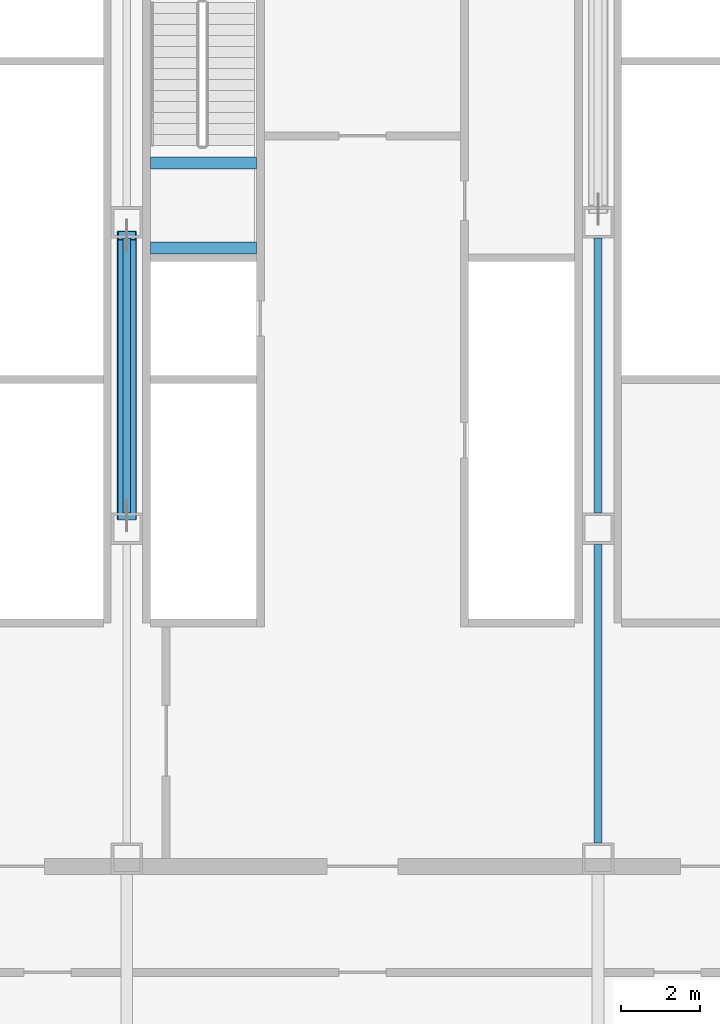
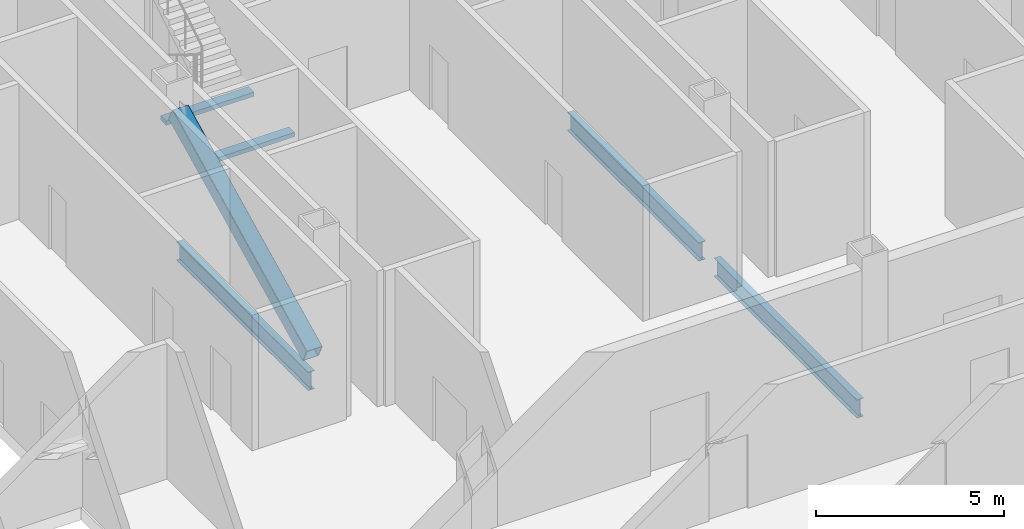
# One storey, part 12 of 33: 5 beams, 1 member.
"""IFC4 building model written with IfcOpenShell, lengths in metres."""

from ifc_helpers import new_model, si_unit, direction, frame, origin, origin_2d, place, context, subcontext, project, spatial, rectangle, hollow_rectangle, i_section, extrude, material, material_profile, profile_set, type_object, element, save


model = new_model("IFC4")

# Units and contexts
model_context = context("Model", 3, precision=1e-05, world=origin(), true_north=direction((0.0, 1.0)))
body_context = subcontext(model_context, "Body", "Model", "MODEL_VIEW")
ifc_project = project(units=[si_unit("LENGTHUNIT", "METRE"), si_unit("AREAUNIT", "SQUARE_METRE"), si_unit("VOLUMEUNIT", "CUBIC_METRE"), si_unit("PLANEANGLEUNIT", "RADIAN"), si_unit("MASSUNIT", "GRAM", prefix="KILO")], contexts=[model_context])

# Site, building, storey
site_placement = place(None, origin())
site = spatial("IfcSite", under=ifc_project, at=site_placement, CompositionType="ELEMENT")
building_placement = place(site_placement, origin())
building = spatial("IfcBuilding", under=site, at=building_placement, Name="Sorahane Residences", CompositionType="ELEMENT")
storey_placement = place(building_placement, frame((0.0, 0.0, 34.800048828125)))
storey = spatial("IfcBuildingStorey", under=building, at=storey_placement, Name="L05", CompositionType="ELEMENT", Elevation=34.800048828125)

# Member
ifc_material_1 = material(Name="Steel Q355B", Category="steel")
ifc_material_profile_1 = material_profile(ifc_material_1, hollow_rectangle(XDim=0.5, YDim=0.5, WallThickness=0.02490234375, InnerFilletRadius=0.012451171875, OuterFilletRadius=0.03759765625, at=origin_2d()), Name="RHS 500x500x25")
ifc_profile_set_1 = profile_set([ifc_material_profile_1], Name="Steel Q355B")
member_type = type_object("IfcMemberType", Name="Core brace RHS 500x500x25 Q355B", PredefinedType="BRACE", material=ifc_profile_set_1)
member_placement = place(storey_placement, frame((18.0, 30.333740234375, 0.21728515625), z_axis=(0.0, 0.89697311716, 0.44208509033), x_axis=(-1.0, 0.0, 0.0)))
element("IfcMember", 1, at=member_placement, inside=storey, type_object=member_type, Name="Core brace L05 x18-1", PredefinedType="BRACE", context=body_context, shape_type="SweptSolid", body=[
    extrude(hollow_rectangle(XDim=0.5, YDim=0.5, WallThickness=0.02490234375, InnerFilletRadius=0.012451171875, OuterFilletRadius=0.03759765625, at=origin_2d()), origin(), (0.0, 0.0, 1.0), 7.951904296875),
])

# Beams
ifc_material_2 = material(Name="Concrete C40", Category="concrete")
ifc_material_profile_2 = material_profile(ifc_material_2, rectangle(XDim=0.300048828125, YDim=0.139892578125, at=origin_2d()), Name="300x140")
ifc_profile_set_2 = profile_set([ifc_material_profile_2], Name="Concrete C40")
beam_type_1 = type_object("IfcBeamType", Name="RC landing beam 300 x 140 Concrete C40", PredefinedType="BEAM", material=ifc_profile_set_2)
for number, where, z_axis, x_axis, name in (
    (2, (18.60009765625, 37.14990234375, 2.1298828125), (1.0, 0.0, 0.0), (0.0, 1.0, 0.0), "Landing beam"),
    (3, (18.60009765625, 39.31005859375, 2.1298828125), (1.0, 0.0, 0.0), (0.0, 1.0, 0.0), "Landing beam"),
):
    element("IfcBeam", number, at=place(storey_placement, frame(where, z_axis=z_axis, x_axis=x_axis)), inside=storey, type_object=beam_type_1, Name=name, PredefinedType="BEAM", context=body_context, shape_type="SweptSolid", body=[
        extrude(rectangle(XDim=0.300048828125, YDim=0.139892578125, at=origin_2d()), origin(), (0.0, 0.0, 1.0), 2.699951171875),
    ])
ifc_material_3 = material(Name="Steel Q355B", Category="steel")
ifc_material_profile_3 = material_profile(ifc_material_3, i_section(OverallWidth=0.199951171875, OverallDepth=0.60009765625, WebThickness=0.010986328125, FlangeThickness=0.01708984375, FilletRadius=0.02392578125, at=origin_2d()), Name="HN 600x200x11x17")
ifc_profile_set_3 = profile_set([ifc_material_profile_3], Name="Steel Q355B")
beam_type_2 = type_object("IfcBeamType", Name="Steel floor beam HN 600x200x11x17 Q355B", PredefinedType="BEAM", material=ifc_profile_set_3)
beam_1_placement = place(storey_placement, frame((18.0, 30.39990234375, -0.699951171875), z_axis=(0.0, 1.0, 0.0), x_axis=(-1.0, 0.0, 0.0)))
element("IfcBeam", 4, at=beam_1_placement, inside=storey, type_object=beam_type_2, Name="Beam L05 041", PredefinedType="BEAM", context=body_context, shape_type="SweptSolid", body=[
    extrude(i_section(OverallWidth=0.199951171875, OverallDepth=0.60009765625, WebThickness=0.010986328125, FlangeThickness=0.01708984375, FilletRadius=0.02392578125, at=origin_2d()), origin(), (0.0, 0.0, 1.0), 7.0),
])
beam_2_placement = place(storey_placement, frame((30.0, 22.0, -0.699951171875), z_axis=(0.0, 1.0, 0.0), x_axis=(-1.0, 0.0, 0.0)))
element("IfcBeam", 5, at=beam_2_placement, inside=storey, type_object=beam_type_2, Name="Beam L05 049", PredefinedType="BEAM", context=body_context, shape_type="SweptSolid", body=[
    extrude(i_section(OverallWidth=0.199951171875, OverallDepth=0.60009765625, WebThickness=0.010986328125, FlangeThickness=0.01708984375, FilletRadius=0.02392578125, at=origin_2d()), origin(), (0.0, 0.0, 1.0), 7.60009765625),
])
beam_3_placement = place(storey_placement, frame((30.0, 30.39990234375, -0.699951171875), z_axis=(0.0, 1.0, 0.0), x_axis=(-1.0, 0.0, 0.0)))
element("IfcBeam", 6, at=beam_3_placement, inside=storey, type_object=beam_type_2, Name="Beam L05 050", PredefinedType="BEAM", context=body_context, shape_type="SweptSolid", body=[
    extrude(i_section(OverallWidth=0.199951171875, OverallDepth=0.60009765625, WebThickness=0.010986328125, FlangeThickness=0.01708984375, FilletRadius=0.02392578125, at=origin_2d()), origin(), (0.0, 0.0, 1.0), 7.0),
])

save(model, "model.ifc")
